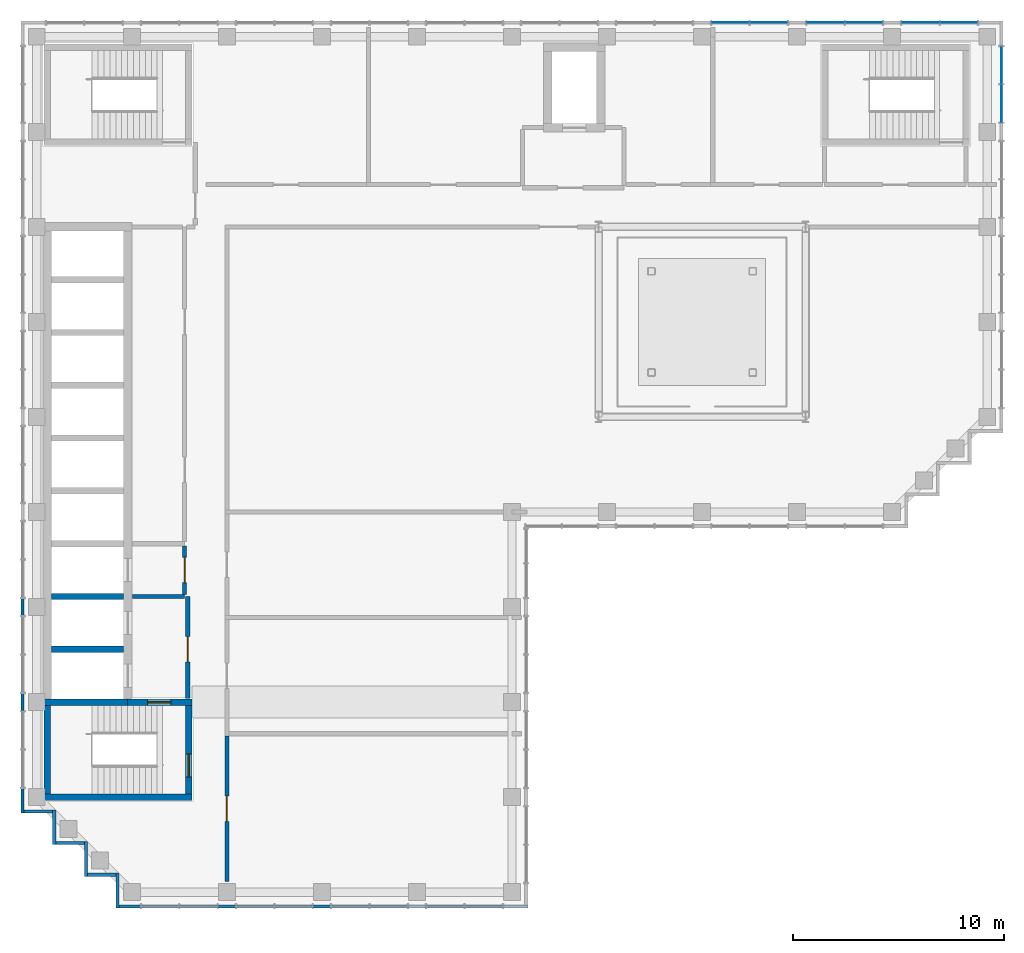
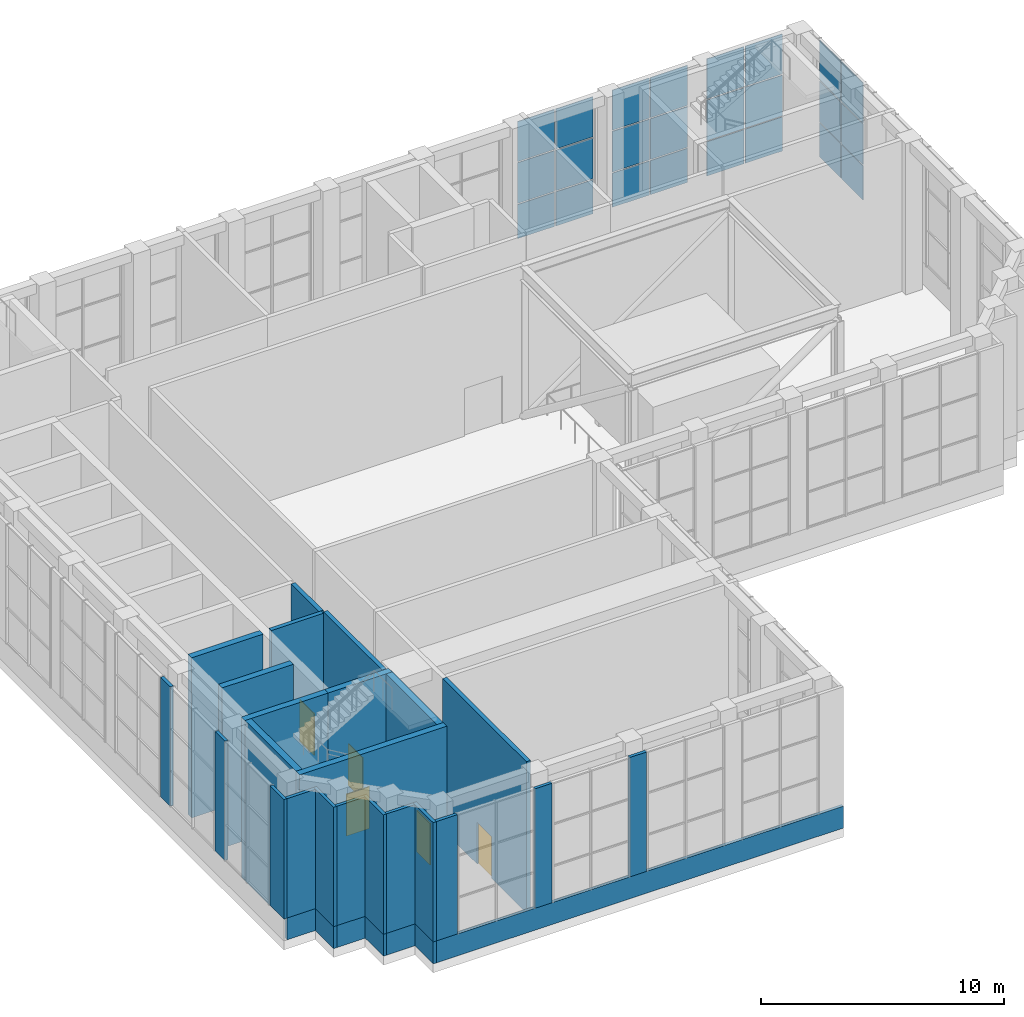
# One storey, part 12 of 17: 30 walls, 24 plates, 5 doors, 5 openings, 4 elements without a shape of their own.
"""IFC4 building model written with IfcOpenShell, lengths in metres."""

from ifc_helpers import new_model, si_unit, direction, frame, frame_2d, origin, origin_2d, place, context, subcontext, project, spatial, rectangle, extrude, material, layer, layer_set, type_object, element, fill, aggregate, save


model = new_model("IFC4")

# Units and contexts
model_context = context("Model", 3, precision=1e-05, world=origin(), true_north=direction((0.0, 1.0)))
body_context = subcontext(model_context, "Body", "Model", "MODEL_VIEW")
ifc_project = project(units=[si_unit("LENGTHUNIT", "METRE"), si_unit("AREAUNIT", "SQUARE_METRE"), si_unit("VOLUMEUNIT", "CUBIC_METRE"), si_unit("PLANEANGLEUNIT", "RADIAN"), si_unit("MASSUNIT", "GRAM", prefix="KILO")], contexts=[model_context])

# Site, building, storey
site_placement = place(None, origin())
site = spatial("IfcSite", under=ifc_project, at=site_placement, CompositionType="ELEMENT")
building_placement = place(site_placement, origin())
building = spatial("IfcBuilding", under=site, at=building_placement, Name="Firuza Court", CompositionType="ELEMENT")
storey_placement = place(building_placement, frame((0.0, 0.0, 258.199951171875)))
storey = spatial("IfcBuildingStorey", under=building, at=storey_placement, Name="L67", CompositionType="ELEMENT", Elevation=258.199951171875)

# Curtain wall, plates
ifc_material_1 = material(Name="Aluminium curtain wall, triple clear glazing", Category="aluminium")
curtain_wall_type = type_object("IfcCurtainWallType", Name="Damper hall structural glazing CW4", PredefinedType="NOTDEFINED", material=ifc_material_1)
curtain_wall_1_placement = place(storey_placement, origin())
curtain_wall_1 = element("IfcCurtainWall", 1, at=curtain_wall_1_placement, inside=storey, type_object=curtain_wall_type, Name="Damper hall structural glazing CW4 L67", PredefinedType="NOTDEFINED")
ifc_material_2 = material(Name="Triple clear glazing", Category="glass")
ifc_layer_1 = layer(ifc_material_2, 0.031982421875)
ifc_layer_set_1 = layer_set([ifc_layer_1], Name="Triple clear glazing")
plate_type = type_object("IfcPlateType", Name="Glazed panel 32 CW4", PredefinedType="CURTAIN_PANEL", material=ifc_layer_set_1)
plate_1_placement = place(storey_placement, frame((45.669921875, 55.340087890625, 1.16015625), z_axis=(0.0, 0.0, 1.0), x_axis=(0.0, 1.0, 0.0)))
plate_1 = element("IfcPlate", 2, at=plate_1_placement, type_object=plate_type, Name="CW4 panel 1.1", PredefinedType="CURTAIN_PANEL", context=body_context, shape_type="SweptSolid", body=[
    extrude(rectangle(XDim=1.760009765625, YDim=0.031982421875, at=origin_2d()), origin(), (0.0, 0.0, 1.0), 1.7099609375),
])
plate_2_placement = place(storey_placement, frame((45.669921875, 55.340087890625, 2.929931640625), z_axis=(0.0, 0.0, 1.0), x_axis=(0.0, 1.0, 0.0)))
plate_2 = element("IfcPlate", 3, at=plate_2_placement, type_object=plate_type, Name="CW4 panel 1.2", PredefinedType="CURTAIN_PANEL", context=body_context, shape_type="SweptSolid", body=[
    extrude(rectangle(XDim=1.760009765625, YDim=0.031982421875, at=origin_2d()), origin(), (0.0, 0.0, 1.0), 2.0400390625),
])
plate_3_placement = place(storey_placement, frame((45.669921875, 55.340087890625, 5.0302734375), z_axis=(0.0, 0.0, 1.0), x_axis=(0.0, 1.0, 0.0)))
plate_3 = element("IfcPlate", 4, at=plate_3_placement, type_object=plate_type, Name="CW4 panel 1.3", PredefinedType="CURTAIN_PANEL", context=body_context, shape_type="SweptSolid", body=[
    extrude(rectangle(XDim=1.760009765625, YDim=0.031982421875, at=origin_2d()), origin(), (0.0, 0.0, 1.0), 2.010009765625),
])
plate_4_placement = place(storey_placement, frame((45.669921875, 57.159912109375, 1.16015625), z_axis=(0.0, 0.0, 1.0), x_axis=(0.0, 1.0, 0.0)))
plate_4 = element("IfcPlate", 5, at=plate_4_placement, type_object=plate_type, Name="CW4 panel 2.1", PredefinedType="CURTAIN_PANEL", context=body_context, shape_type="SweptSolid", body=[
    extrude(rectangle(XDim=1.760009765625, YDim=0.031982421875, at=origin_2d()), origin(), (0.0, 0.0, 1.0), 1.7099609375),
])
plate_5_placement = place(storey_placement, frame((45.669921875, 57.159912109375, 2.929931640625), z_axis=(0.0, 0.0, 1.0), x_axis=(0.0, 1.0, 0.0)))
plate_5 = element("IfcPlate", 6, at=plate_5_placement, type_object=plate_type, Name="CW4 panel 2.2", PredefinedType="CURTAIN_PANEL", context=body_context, shape_type="SweptSolid", body=[
    extrude(rectangle(XDim=1.760009765625, YDim=0.031982421875, at=origin_2d()), origin(), (0.0, 0.0, 1.0), 2.0400390625),
])
plate_6_placement = place(storey_placement, frame((45.669921875, 57.159912109375, 5.0302734375), z_axis=(0.0, 0.0, 1.0), x_axis=(0.0, 1.0, 0.0)))
plate_6 = element("IfcPlate", 7, at=plate_6_placement, type_object=plate_type, Name="CW4 panel 2.3", PredefinedType="CURTAIN_PANEL", context=body_context, shape_type="SweptSolid", body=[
    extrude(rectangle(XDim=1.760009765625, YDim=0.031982421875, at=origin_2d()), origin(), (0.0, 0.0, 1.0), 2.010009765625),
])
aggregate(curtain_wall_1, [plate_1, plate_2, plate_3, plate_4, plate_5, plate_6])

curtain_wall_2_placement = place(storey_placement, origin())
curtain_wall_2 = element("IfcCurtainWall", 8, at=curtain_wall_2_placement, inside=storey, type_object=curtain_wall_type, Name="Damper hall structural glazing CW4 L67", PredefinedType="NOTDEFINED")
plate_7_placement = place(storey_placement, frame((43.659912109375, 59.169921875, 1.16015625), z_axis=(0.0, 0.0, 1.0), x_axis=(-1.0, 0.0, 0.0)))
plate_7 = element("IfcPlate", 9, at=plate_7_placement, type_object=plate_type, Name="CW4 panel 1.1", PredefinedType="CURTAIN_PANEL", context=body_context, shape_type="SweptSolid", body=[
    extrude(rectangle(XDim=1.760009765625, YDim=0.031982421875, at=origin_2d()), origin(), (0.0, 0.0, 1.0), 1.7099609375),
])
plate_8_placement = place(storey_placement, frame((43.659912109375, 59.169921875, 2.929931640625), z_axis=(0.0, 0.0, 1.0), x_axis=(-1.0, 0.0, 0.0)))
plate_8 = element("IfcPlate", 10, at=plate_8_placement, type_object=plate_type, Name="CW4 panel 1.2", PredefinedType="CURTAIN_PANEL", context=body_context, shape_type="SweptSolid", body=[
    extrude(rectangle(XDim=1.760009765625, YDim=0.031982421875, at=origin_2d()), origin(), (0.0, 0.0, 1.0), 2.0400390625),
])
plate_9_placement = place(storey_placement, frame((43.659912109375, 59.169921875, 5.0302734375), z_axis=(0.0, 0.0, 1.0), x_axis=(-1.0, 0.0, 0.0)))
plate_9 = element("IfcPlate", 11, at=plate_9_placement, type_object=plate_type, Name="CW4 panel 1.3", PredefinedType="CURTAIN_PANEL", context=body_context, shape_type="SweptSolid", body=[
    extrude(rectangle(XDim=1.760009765625, YDim=0.031982421875, at=origin_2d()), origin(), (0.0, 0.0, 1.0), 2.010009765625),
])
plate_10_placement = place(storey_placement, frame((41.840087890625, 59.169921875, 1.16015625), z_axis=(0.0, 0.0, 1.0), x_axis=(-1.0, 0.0, 0.0)))
plate_10 = element("IfcPlate", 12, at=plate_10_placement, type_object=plate_type, Name="CW4 panel 2.1", PredefinedType="CURTAIN_PANEL", context=body_context, shape_type="SweptSolid", body=[
    extrude(rectangle(XDim=1.760009765625, YDim=0.031982421875, at=origin_2d()), origin(), (0.0, 0.0, 1.0), 1.7099609375),
])
plate_11_placement = place(storey_placement, frame((41.840087890625, 59.169921875, 2.929931640625), z_axis=(0.0, 0.0, 1.0), x_axis=(-1.0, 0.0, 0.0)))
plate_11 = element("IfcPlate", 13, at=plate_11_placement, type_object=plate_type, Name="CW4 panel 2.2", PredefinedType="CURTAIN_PANEL", context=body_context, shape_type="SweptSolid", body=[
    extrude(rectangle(XDim=1.760009765625, YDim=0.031982421875, at=origin_2d()), origin(), (0.0, 0.0, 1.0), 2.0400390625),
])
plate_12_placement = place(storey_placement, frame((41.840087890625, 59.169921875, 5.0302734375), z_axis=(0.0, 0.0, 1.0), x_axis=(-1.0, 0.0, 0.0)))
plate_12 = element("IfcPlate", 14, at=plate_12_placement, type_object=plate_type, Name="CW4 panel 2.3", PredefinedType="CURTAIN_PANEL", context=body_context, shape_type="SweptSolid", body=[
    extrude(rectangle(XDim=1.760009765625, YDim=0.031982421875, at=origin_2d()), origin(), (0.0, 0.0, 1.0), 2.010009765625),
])
aggregate(curtain_wall_2, [plate_7, plate_8, plate_9, plate_10, plate_11, plate_12])

curtain_wall_3_placement = place(storey_placement, origin())
curtain_wall_3 = element("IfcCurtainWall", 15, at=curtain_wall_3_placement, inside=storey, type_object=curtain_wall_type, Name="Damper hall structural glazing CW4 L67", PredefinedType="NOTDEFINED")
plate_13_placement = place(storey_placement, frame((39.159912109375, 59.169921875, 1.16015625), z_axis=(0.0, 0.0, 1.0), x_axis=(-1.0, 0.0, 0.0)))
plate_13 = element("IfcPlate", 16, at=plate_13_placement, type_object=plate_type, Name="CW4 panel 1.1", PredefinedType="CURTAIN_PANEL", context=body_context, shape_type="SweptSolid", body=[
    extrude(rectangle(XDim=1.760009765625, YDim=0.031982421875, at=origin_2d()), origin(), (0.0, 0.0, 1.0), 1.7099609375),
])
plate_14_placement = place(storey_placement, frame((39.159912109375, 59.169921875, 2.929931640625), z_axis=(0.0, 0.0, 1.0), x_axis=(-1.0, 0.0, 0.0)))
plate_14 = element("IfcPlate", 17, at=plate_14_placement, type_object=plate_type, Name="CW4 panel 1.2", PredefinedType="CURTAIN_PANEL", context=body_context, shape_type="SweptSolid", body=[
    extrude(rectangle(XDim=1.760009765625, YDim=0.031982421875, at=origin_2d()), origin(), (0.0, 0.0, 1.0), 2.0400390625),
])
plate_15_placement = place(storey_placement, frame((39.159912109375, 59.169921875, 5.0302734375), z_axis=(0.0, 0.0, 1.0), x_axis=(-1.0, 0.0, 0.0)))
plate_15 = element("IfcPlate", 18, at=plate_15_placement, type_object=plate_type, Name="CW4 panel 1.3", PredefinedType="CURTAIN_PANEL", context=body_context, shape_type="SweptSolid", body=[
    extrude(rectangle(XDim=1.760009765625, YDim=0.031982421875, at=origin_2d()), origin(), (0.0, 0.0, 1.0), 2.010009765625),
])
plate_16_placement = place(storey_placement, frame((37.340087890625, 59.169921875, 1.16015625), z_axis=(0.0, 0.0, 1.0), x_axis=(-1.0, 0.0, 0.0)))
plate_16 = element("IfcPlate", 19, at=plate_16_placement, type_object=plate_type, Name="CW4 panel 2.1", PredefinedType="CURTAIN_PANEL", context=body_context, shape_type="SweptSolid", body=[
    extrude(rectangle(XDim=1.760009765625, YDim=0.031982421875, at=origin_2d()), origin(), (0.0, 0.0, 1.0), 1.7099609375),
])
plate_17_placement = place(storey_placement, frame((37.340087890625, 59.169921875, 2.929931640625), z_axis=(0.0, 0.0, 1.0), x_axis=(-1.0, 0.0, 0.0)))
plate_17 = element("IfcPlate", 20, at=plate_17_placement, type_object=plate_type, Name="CW4 panel 2.2", PredefinedType="CURTAIN_PANEL", context=body_context, shape_type="SweptSolid", body=[
    extrude(rectangle(XDim=1.760009765625, YDim=0.031982421875, at=origin_2d()), origin(), (0.0, 0.0, 1.0), 2.0400390625),
])
plate_18_placement = place(storey_placement, frame((37.340087890625, 59.169921875, 5.0302734375), z_axis=(0.0, 0.0, 1.0), x_axis=(-1.0, 0.0, 0.0)))
plate_18 = element("IfcPlate", 21, at=plate_18_placement, type_object=plate_type, Name="CW4 panel 2.3", PredefinedType="CURTAIN_PANEL", context=body_context, shape_type="SweptSolid", body=[
    extrude(rectangle(XDim=1.760009765625, YDim=0.031982421875, at=origin_2d()), origin(), (0.0, 0.0, 1.0), 2.010009765625),
])
aggregate(curtain_wall_3, [plate_13, plate_14, plate_15, plate_16, plate_17, plate_18])

curtain_wall_4_placement = place(storey_placement, origin())
curtain_wall_4 = element("IfcCurtainWall", 22, at=curtain_wall_4_placement, inside=storey, type_object=curtain_wall_type, Name="Damper hall structural glazing CW4 L67", PredefinedType="NOTDEFINED")
plate_19_placement = place(storey_placement, frame((34.659912109375, 59.169921875, 1.16015625), z_axis=(0.0, 0.0, 1.0), x_axis=(-1.0, 0.0, 0.0)))
plate_19 = element("IfcPlate", 23, at=plate_19_placement, type_object=plate_type, Name="CW4 panel 1.1", PredefinedType="CURTAIN_PANEL", context=body_context, shape_type="SweptSolid", body=[
    extrude(rectangle(XDim=1.760009765625, YDim=0.031982421875, at=origin_2d()), origin(), (0.0, 0.0, 1.0), 1.7099609375),
])
plate_20_placement = place(storey_placement, frame((34.659912109375, 59.169921875, 2.929931640625), z_axis=(0.0, 0.0, 1.0), x_axis=(-1.0, 0.0, 0.0)))
plate_20 = element("IfcPlate", 24, at=plate_20_placement, type_object=plate_type, Name="CW4 panel 1.2", PredefinedType="CURTAIN_PANEL", context=body_context, shape_type="SweptSolid", body=[
    extrude(rectangle(XDim=1.760009765625, YDim=0.031982421875, at=origin_2d()), origin(), (0.0, 0.0, 1.0), 2.0400390625),
])
plate_21_placement = place(storey_placement, frame((34.659912109375, 59.169921875, 5.0302734375), z_axis=(0.0, 0.0, 1.0), x_axis=(-1.0, 0.0, 0.0)))
plate_21 = element("IfcPlate", 25, at=plate_21_placement, type_object=plate_type, Name="CW4 panel 1.3", PredefinedType="CURTAIN_PANEL", context=body_context, shape_type="SweptSolid", body=[
    extrude(rectangle(XDim=1.760009765625, YDim=0.031982421875, at=origin_2d()), origin(), (0.0, 0.0, 1.0), 2.010009765625),
])
plate_22_placement = place(storey_placement, frame((32.840087890625, 59.169921875, 1.16015625), z_axis=(0.0, 0.0, 1.0), x_axis=(-1.0, 0.0, 0.0)))
plate_22 = element("IfcPlate", 26, at=plate_22_placement, type_object=plate_type, Name="CW4 panel 2.1", PredefinedType="CURTAIN_PANEL", context=body_context, shape_type="SweptSolid", body=[
    extrude(rectangle(XDim=1.760009765625, YDim=0.031982421875, at=origin_2d()), origin(), (0.0, 0.0, 1.0), 1.7099609375),
])
plate_23_placement = place(storey_placement, frame((32.840087890625, 59.169921875, 2.929931640625), z_axis=(0.0, 0.0, 1.0), x_axis=(-1.0, 0.0, 0.0)))
plate_23 = element("IfcPlate", 27, at=plate_23_placement, type_object=plate_type, Name="CW4 panel 2.2", PredefinedType="CURTAIN_PANEL", context=body_context, shape_type="SweptSolid", body=[
    extrude(rectangle(XDim=1.760009765625, YDim=0.031982421875, at=origin_2d()), origin(), (0.0, 0.0, 1.0), 2.0400390625),
])
plate_24_placement = place(storey_placement, frame((32.840087890625, 59.169921875, 5.0302734375), z_axis=(0.0, 0.0, 1.0), x_axis=(-1.0, 0.0, 0.0)))
plate_24 = element("IfcPlate", 28, at=plate_24_placement, type_object=plate_type, Name="CW4 panel 2.3", PredefinedType="CURTAIN_PANEL", context=body_context, shape_type="SweptSolid", body=[
    extrude(rectangle(XDim=1.760009765625, YDim=0.031982421875, at=origin_2d()), origin(), (0.0, 0.0, 1.0), 2.010009765625),
])
aggregate(curtain_wall_4, [plate_19, plate_20, plate_21, plate_22, plate_23, plate_24])

# Walls
ifc_material_3 = material(Name="Concrete C50/60", Category="concrete")
ifc_layer_2 = layer(ifc_material_3, 0.300048828125)
ifc_layer_set_2 = layer_set([ifc_layer_2], Name="Concrete C50/60")
wall_type_1 = type_object("IfcWallType", Name="Core wall 300 C50/60", PredefinedType="SHEAR", material=ifc_layer_set_2)
wall_1_placement = place(storey_placement, frame((0.35009765625, 22.5, -0.449951171875), z_axis=(0.0, 0.0, 1.0), x_axis=(1.0, 0.0, 0.0)))
element("IfcWall", 29, at=wall_1_placement, inside=storey, type_object=wall_type_1, Name="Core wall stair L67", PredefinedType="SHEAR", context=body_context, shape_type="SweptSolid", body=[
    extrude(rectangle(XDim=7.0, YDim=0.300048828125, at=frame_2d((3.5, 0.0))), origin(), (0.0, 0.0, 1.0), 8.050048828125),
])
wall_2_placement = place(storey_placement, frame((0.35009765625, 27.0, -0.449951171875), z_axis=(0.0, 0.0, 1.0), x_axis=(1.0, 0.0, 0.0)))
element("IfcWall", 30, at=wall_2_placement, inside=storey, type_object=wall_type_1, Name="Core wall lift shaft L67", PredefinedType="SHEAR", context=body_context, shape_type="SweptSolid", body=[
    extrude(rectangle(XDim=3.949951171875, YDim=0.300048828125, at=frame_2d((1.97509765625, 0.0))), origin(), (0.0, 0.0, 1.0), 8.050048828125),
])
wall_3_placement = place(storey_placement, frame((0.5, 22.64990234375, -0.449951171875), z_axis=(0.0, 0.0, 1.0), x_axis=(0.0, 1.0, 0.0)))
element("IfcWall", 31, at=wall_3_placement, inside=storey, type_object=wall_type_1, Name="Core wall stair L67", PredefinedType="SHEAR", context=body_context, shape_type="SweptSolid", body=[
    extrude(rectangle(XDim=4.2001953125, YDim=0.300048828125, at=frame_2d((2.10009765625, 0.0))), origin(), (0.0, 0.0, 1.0), 8.050048828125),
])
for number, where, z_axis, x_axis, name in (
    (32, (0.699951171875, 29.5, -0.449951171875), (0.0, 0.0, 1.0), (1.0, 0.0, 0.0), "Core wall lift shaft L67"),
    (33, (0.699951171875, 32.0, -0.449951171875), (0.0, 0.0, 1.0), (1.0, 0.0, 0.0), "Core wall lift shaft L67"),
):
    element("IfcWall", number, at=place(storey_placement, frame(where, z_axis=z_axis, x_axis=x_axis)), inside=storey, type_object=wall_type_1, Name=name, PredefinedType="SHEAR", context=body_context, shape_type="SweptSolid", body=[
        extrude(rectangle(XDim=3.400146484375, YDim=0.300048828125, at=frame_2d((1.7001953125, 0.0))), origin(), (0.0, 0.0, 1.0), 8.050048828125),
    ])

# Wall, opening, door
wall_4_placement = place(storey_placement, frame((4.300048828125, 27.0, -0.449951171875), z_axis=(0.0, 0.0, 1.0), x_axis=(1.0, 0.0, 0.0)))
wall_4 = element("IfcWall", 34, at=wall_4_placement, inside=storey, type_object=wall_type_1, Name="Core wall stair L67", PredefinedType="SHEAR", context=body_context, shape_type="SweptSolid", body=[
    extrude(rectangle(XDim=3.050048828125, YDim=0.300048828125, at=frame_2d((1.52490234375, 0.0))), origin(), (0.0, 0.0, 1.0), 8.050048828125),
])
opening_1_placement = place(wall_4_placement, frame((0.949951171875, 0.0, 0.449951171875)))
opening_1 = element("IfcOpeningElement", 35, at=opening_1_placement, cuts=wall_4, Name="Opening D67009", PredefinedType="OPENING", context=body_context, shape_type="SweptSolid", body=[
    extrude(rectangle(XDim=1.10009765625, YDim=2.10009765625, at=frame_2d((0.550048828125, 1.050048828125))), frame((0.0, 0.162109375, 0.0), z_axis=(0.0, -1.0, 0.0), x_axis=(1.0, 0.0, 0.0)), (0.0, 0.0, 1.0), 0.323974609375),
])
ifc_material_4 = material(Name="Timber door leaf in hardwood frame", Category="wood")
door_type_1 = type_object("IfcDoorType", Name="Stair door 1100", OperationType="SINGLE_SWING_LEFT", PredefinedType="DOOR", material=ifc_material_4)
door_1_placement = place(opening_1_placement, frame((1.10009765625, 0.0, 0.0), z_axis=(0.0, 0.0, 1.0), x_axis=(-1.0, 0.0, 0.0)))
door_1 = element("IfcDoor", 36, at=door_1_placement, inside=storey, type_object=door_type_1, Name="Fire-fighting lobby door", OperationType="SINGLE_SWING_LEFT", OverallHeight=2.10009765625, OverallWidth=1.10009765625, PredefinedType="DOOR", context=body_context, shape_type="SweptSolid", body=[
    extrude(rectangle(XDim=1.10009765625, YDim=2.10009765625, at=frame_2d((0.550048828125, 1.050048828125))), frame((0.0, 0.02490234375, 0.0), z_axis=(0.0, -1.0, 0.0), x_axis=(1.0, 0.0, 0.0)), (0.0, 0.0, 1.0), 0.050048828125),
])
fill(opening_1, door_1)

wall_5_placement = place(storey_placement, frame((7.199951171875, 22.64990234375, -0.449951171875), z_axis=(0.0, 0.0, 1.0), x_axis=(0.0, 1.0, 0.0)))
wall_5 = element("IfcWall", 37, at=wall_5_placement, inside=storey, type_object=wall_type_1, Name="Core wall stair L67", PredefinedType="SHEAR", context=body_context, shape_type="SweptSolid", body=[
    extrude(rectangle(XDim=4.2001953125, YDim=0.300048828125, at=frame_2d((2.10009765625, 0.0))), origin(), (0.0, 0.0, 1.0), 8.050048828125),
])
opening_2_placement = place(wall_5_placement, frame((0.800048828125, 0.0, 0.449951171875)))
opening_2 = element("IfcOpeningElement", 38, at=opening_2_placement, cuts=wall_5, Name="Opening D67010", PredefinedType="OPENING", context=body_context, shape_type="SweptSolid", body=[
    extrude(rectangle(XDim=1.10009765625, YDim=2.10009765625, at=frame_2d((0.550048828125, 1.050048828125))), frame((0.0, 0.162109375, 0.0), z_axis=(0.0, -1.0, 0.0), x_axis=(1.0, 0.0, 0.0)), (0.0, 0.0, 1.0), 0.323974609375),
])
door_2_placement = place(opening_2_placement, origin())
door_2 = element("IfcDoor", 39, at=door_2_placement, inside=storey, type_object=door_type_1, Name="Stair door S2", OperationType="SINGLE_SWING_LEFT", OverallHeight=2.10009765625, OverallWidth=1.10009765625, PredefinedType="DOOR", context=body_context, shape_type="SweptSolid", body=[
    extrude(rectangle(XDim=1.10009765625, YDim=2.10009765625, at=frame_2d((0.550048828125, 1.050048828125))), frame((0.0, 0.02490234375, 0.0), z_axis=(0.0, -1.0, 0.0), x_axis=(1.0, 0.0, 0.0)), (0.0, 0.0, 1.0), 0.050048828125),
])
fill(opening_2, door_2)

ifc_material_5 = material(Name="Blockwork, fire-rated", Category="masonry")
ifc_layer_3 = layer(ifc_material_5, 0.199951171875)
ifc_layer_set_3 = layer_set([ifc_layer_3], Name="Blockwork, fire-rated")
wall_type_2 = type_object("IfcWallType", Name="Plant room wall 200", PredefinedType="PARTITIONING", material=ifc_layer_set_3)
wall_6_placement = place(storey_placement, frame((9.0, 18.5, 0.0), z_axis=(0.0, 0.0, 1.0), x_axis=(0.0, 1.0, 0.0)))
wall_6 = element("IfcWall", 40, at=wall_6_placement, inside=storey, type_object=wall_type_2, Name="Plant room wall 200 L67", PredefinedType="PARTITIONING", context=body_context, shape_type="SweptSolid", body=[
    extrude(rectangle(XDim=6.89990234375, YDim=0.199951171875, at=frame_2d((3.449951171875, 0.0))), origin(), (0.0, 0.0, 1.0), 7.60009765625),
])
opening_3_placement = place(wall_6_placement, frame((2.85009765625, 0.0, 0.0)))
opening_3 = element("IfcOpeningElement", 41, at=opening_3_placement, cuts=wall_6, Name="Opening D67012", PredefinedType="OPENING", context=body_context, shape_type="SweptSolid", body=[
    extrude(rectangle(XDim=1.199951171875, YDim=2.10009765625, at=frame_2d((0.60009765625, 1.050048828125))), frame((0.0, 0.11181640625, 0.0), z_axis=(0.0, -1.0, 0.0), x_axis=(1.0, 0.0, 0.0)), (0.0, 0.0, 1.0), 0.223876953125),
])
ifc_material_6 = material(Name="Timber door leaf in hardwood frame", Category="wood")
door_type_2 = type_object("IfcDoorType", Name="Plant room door 1200", OperationType="SINGLE_SWING_LEFT", PredefinedType="DOOR", material=ifc_material_6)
door_3_placement = place(opening_3_placement, frame((1.199951171875, 0.0, 0.0), z_axis=(0.0, 0.0, 1.0), x_axis=(-1.0, 0.0, 0.0)))
door_3 = element("IfcDoor", 42, at=door_3_placement, inside=storey, type_object=door_type_2, Name="Plant door", OperationType="SINGLE_SWING_LEFT", OverallHeight=2.10009765625, OverallWidth=1.199951171875, PredefinedType="DOOR", context=body_context, shape_type="SweptSolid", body=[
    extrude(rectangle(XDim=1.199951171875, YDim=2.10009765625, at=frame_2d((0.60009765625, 1.050048828125))), frame((0.0, 0.02490234375, 0.0), z_axis=(0.0, -1.0, 0.0), x_axis=(1.0, 0.0, 0.0)), (0.0, 0.0, 1.0), 0.050048828125),
])
fill(opening_3, door_3)

# Walls
ifc_material_7 = material(Name="Ceramic tile", Category="ceramic")
ifc_layer_4 = layer(ifc_material_7, 0.02001953125)
ifc_material_8 = material(Name="Mineral wool insulation", Category="insulation")
ifc_layer_5 = layer(ifc_material_8, 0.050048828125)
ifc_material_9 = material(Name="Concrete C40/50 precast", Category="concrete")
ifc_layer_6 = layer(ifc_material_9, 0.080078125)
ifc_layer_set_4 = layer_set([ifc_layer_4, ifc_layer_5, ifc_layer_6], Name="Concrete C40/50 precast")
wall_type_3 = type_object("IfcWallType", Name="Precast cladding wall with turquoise TILE PANEL face 150", PredefinedType="STANDARD", material=ifc_layer_set_4)
wall_7_placement = place(storey_placement, frame((-0.60009765625, 21.824951171875, 0.0), z_axis=(0.0, 0.0, 1.0), x_axis=(1.0, 0.0, 0.0)))
element("IfcWall", 43, at=wall_7_placement, inside=storey, type_object=wall_type_3, Name="Facade kerb wall L67 S", PredefinedType="STANDARD", context=body_context, shape_type="SweptSolid", body=[
    extrude(rectangle(XDim=1.35009765625, YDim=0.14990234375, at=frame_2d((0.675048828125, 0.0))), origin(), (0.0, 0.0, 1.0), 1.10009765625),
])
wall_8_placement = place(storey_placement, frame((0.824951171875, 21.89990234375, 0.0), z_axis=(0.0, 0.0, 1.0), x_axis=(0.0, -1.0, 0.0)))
element("IfcWall", 44, at=wall_8_placement, inside=storey, type_object=wall_type_3, Name="Facade kerb wall L67 W", PredefinedType="STANDARD", context=body_context, shape_type="SweptSolid", body=[
    extrude(rectangle(XDim=1.64990234375, YDim=0.14990234375, at=frame_2d((0.824951171875, 0.0))), origin(), (0.0, 0.0, 1.0), 1.10009765625),
])
wall_9_placement = place(storey_placement, frame((0.89990234375, 20.324951171875, 0.0), z_axis=(0.0, 0.0, 1.0), x_axis=(1.0, 0.0, 0.0)))
element("IfcWall", 45, at=wall_9_placement, inside=storey, type_object=wall_type_3, Name="Facade kerb wall L67 S", PredefinedType="STANDARD", context=body_context, shape_type="SweptSolid", body=[
    extrude(rectangle(XDim=1.35009765625, YDim=0.14990234375, at=frame_2d((0.675048828125, 0.0))), origin(), (0.0, 0.0, 1.0), 1.10009765625),
])
wall_10_placement = place(storey_placement, frame((2.324951171875, 20.39990234375, 0.0), z_axis=(0.0, 0.0, 1.0), x_axis=(0.0, -1.0, 0.0)))
element("IfcWall", 46, at=wall_10_placement, inside=storey, type_object=wall_type_3, Name="Facade kerb wall L67 W", PredefinedType="STANDARD", context=body_context, shape_type="SweptSolid", body=[
    extrude(rectangle(XDim=1.64990234375, YDim=0.14990234375, at=frame_2d((0.824951171875, 0.0))), origin(), (0.0, 0.0, 1.0), 1.10009765625),
])
wall_11_placement = place(storey_placement, frame((2.39990234375, 18.824951171875, 0.0), z_axis=(0.0, 0.0, 1.0), x_axis=(1.0, 0.0, 0.0)))
element("IfcWall", 47, at=wall_11_placement, inside=storey, type_object=wall_type_3, Name="Facade kerb wall L67 S", PredefinedType="STANDARD", context=body_context, shape_type="SweptSolid", body=[
    extrude(rectangle(XDim=1.35009765625, YDim=0.14990234375, at=frame_2d((0.675048828125, 0.0))), origin(), (0.0, 0.0, 1.0), 1.10009765625),
])
wall_12_placement = place(storey_placement, frame((3.824951171875, 18.89990234375, 0.0), z_axis=(0.0, 0.0, 1.0), x_axis=(0.0, -1.0, 0.0)))
element("IfcWall", 48, at=wall_12_placement, inside=storey, type_object=wall_type_3, Name="Facade kerb wall L67 W", PredefinedType="STANDARD", context=body_context, shape_type="SweptSolid", body=[
    extrude(rectangle(XDim=1.64990234375, YDim=0.14990234375, at=frame_2d((0.824951171875, 0.0))), origin(), (0.0, 0.0, 1.0), 1.10009765625),
])
wall_13_placement = place(storey_placement, frame((3.89990234375, 17.324951171875, 0.0), z_axis=(0.0, 0.0, 1.0), x_axis=(1.0, 0.0, 0.0)))
element("IfcWall", 49, at=wall_13_placement, inside=storey, type_object=wall_type_3, Name="Facade kerb wall L67 S", PredefinedType="STANDARD", context=body_context, shape_type="SweptSolid", body=[
    extrude(rectangle(XDim=19.35009765625, YDim=0.14990234375, at=frame_2d((9.675048828125, 0.0))), origin(), (0.0, 0.0, 1.0), 1.10009765625),
])
wall_14_placement = place(storey_placement, frame((-0.60009765625, 21.824951171875, 1.10009765625), z_axis=(0.0, 0.0, 1.0), x_axis=(1.0, 0.0, 0.0)))
element("IfcWall", 50, at=wall_14_placement, inside=storey, type_object=wall_type_3, Name="Facade wall L67 S", PredefinedType="STANDARD", context=body_context, shape_type="SweptSolid", body=[
    extrude(rectangle(XDim=1.35009765625, YDim=0.14990234375, at=frame_2d((0.675048828125, 0.0))), origin(), (0.0, 0.0, 1.0), 6.0),
])
wall_15_placement = place(storey_placement, frame((0.824951171875, 21.89990234375, 1.10009765625), z_axis=(0.0, 0.0, 1.0), x_axis=(0.0, -1.0, 0.0)))
element("IfcWall", 51, at=wall_15_placement, inside=storey, type_object=wall_type_3, Name="Facade wall L67 W", PredefinedType="STANDARD", context=body_context, shape_type="SweptSolid", body=[
    extrude(rectangle(XDim=1.64990234375, YDim=0.14990234375, at=frame_2d((0.824951171875, 0.0))), origin(), (0.0, 0.0, 1.0), 6.0),
])
wall_16_placement = place(storey_placement, frame((0.89990234375, 20.324951171875, 1.10009765625), z_axis=(0.0, 0.0, 1.0), x_axis=(1.0, 0.0, 0.0)))
element("IfcWall", 52, at=wall_16_placement, inside=storey, type_object=wall_type_3, Name="Facade wall L67 S", PredefinedType="STANDARD", context=body_context, shape_type="SweptSolid", body=[
    extrude(rectangle(XDim=1.35009765625, YDim=0.14990234375, at=frame_2d((0.675048828125, 0.0))), origin(), (0.0, 0.0, 1.0), 6.0),
])
wall_17_placement = place(storey_placement, frame((2.324951171875, 20.39990234375, 1.10009765625), z_axis=(0.0, 0.0, 1.0), x_axis=(0.0, -1.0, 0.0)))
element("IfcWall", 53, at=wall_17_placement, inside=storey, type_object=wall_type_3, Name="Facade wall L67 W", PredefinedType="STANDARD", context=body_context, shape_type="SweptSolid", body=[
    extrude(rectangle(XDim=1.64990234375, YDim=0.14990234375, at=frame_2d((0.824951171875, 0.0))), origin(), (0.0, 0.0, 1.0), 6.0),
])
wall_18_placement = place(storey_placement, frame((2.39990234375, 18.824951171875, 1.10009765625), z_axis=(0.0, 0.0, 1.0), x_axis=(1.0, 0.0, 0.0)))
element("IfcWall", 54, at=wall_18_placement, inside=storey, type_object=wall_type_3, Name="Facade wall L67 S", PredefinedType="STANDARD", context=body_context, shape_type="SweptSolid", body=[
    extrude(rectangle(XDim=1.35009765625, YDim=0.14990234375, at=frame_2d((0.675048828125, 0.0))), origin(), (0.0, 0.0, 1.0), 6.0),
])
wall_19_placement = place(storey_placement, frame((3.824951171875, 18.89990234375, 1.10009765625), z_axis=(0.0, 0.0, 1.0), x_axis=(0.0, -1.0, 0.0)))
element("IfcWall", 55, at=wall_19_placement, inside=storey, type_object=wall_type_3, Name="Facade wall L67 W", PredefinedType="STANDARD", context=body_context, shape_type="SweptSolid", body=[
    extrude(rectangle(XDim=1.64990234375, YDim=0.14990234375, at=frame_2d((0.824951171875, 0.0))), origin(), (0.0, 0.0, 1.0), 6.0),
])
wall_20_placement = place(storey_placement, frame((3.89990234375, 17.324951171875, 1.10009765625), z_axis=(0.0, 0.0, 1.0), x_axis=(1.0, 0.0, 0.0)))
element("IfcWall", 56, at=wall_20_placement, inside=storey, type_object=wall_type_3, Name="Facade wall L67 S", PredefinedType="STANDARD", context=body_context, shape_type="SweptSolid", body=[
    extrude(rectangle(XDim=1.0, YDim=0.14990234375, at=frame_2d((0.5, 0.0))), origin(), (0.0, 0.0, 1.0), 6.0),
])
for number, where, z_axis, x_axis, name in (
    (57, (8.60009765625, 17.324951171875, 1.10009765625), (0.0, 0.0, 1.0), (1.0, 0.0, 0.0), "Facade wall L67 S"),
    (58, (13.10009765625, 17.324951171875, 1.10009765625), (0.0, 0.0, 1.0), (1.0, 0.0, 0.0), "Facade wall L67 S"),
    (59, (-0.675048828125, 31.89990234375, 1.10009765625), (0.0, 0.0, 1.0), (0.0, -1.0, 0.0), "Facade wall L67 W"),
    (60, (-0.675048828125, 27.39990234375, 1.10009765625), (0.0, 0.0, 1.0), (0.0, -1.0, 0.0), "Facade wall L67 W"),
):
    element("IfcWall", number, at=place(storey_placement, frame(where, z_axis=z_axis, x_axis=x_axis)), inside=storey, type_object=wall_type_3, Name=name, PredefinedType="STANDARD", context=body_context, shape_type="SweptSolid", body=[
        extrude(rectangle(XDim=0.7998046875, YDim=0.14990234375, at=frame_2d((0.39990234375, 0.0))), origin(), (0.0, 0.0, 1.0), 6.0),
    ])
wall_21_placement = place(storey_placement, frame((-0.675048828125, 22.89990234375, 1.10009765625), z_axis=(0.0, 0.0, 1.0), x_axis=(0.0, -1.0, 0.0)))
element("IfcWall", 61, at=wall_21_placement, inside=storey, type_object=wall_type_3, Name="Facade wall L67 W", PredefinedType="STANDARD", context=body_context, shape_type="SweptSolid", body=[
    extrude(rectangle(XDim=1.14990234375, YDim=0.14990234375, at=frame_2d((0.574951171875, 0.0))), origin(), (0.0, 0.0, 1.0), 6.0),
])
ifc_layer_7 = layer(ifc_material_5, 0.199951171875)
ifc_layer_set_5 = layer_set([ifc_layer_7], Name="Blockwork, fire-rated")
wall_type_4 = type_object("IfcWallType", Name="Shaft wall 200", PredefinedType="PARTITIONING", material=ifc_layer_set_5)
wall_22_placement = place(storey_placement, frame((4.52001953125, 32.0, 0.0), z_axis=(0.0, 0.0, 1.0), x_axis=(1.0, 0.0, 0.0)))
element("IfcWall", 62, at=wall_22_placement, inside=storey, type_object=wall_type_4, Name="Shaft wall 200 L67", PredefinedType="PARTITIONING", context=body_context, shape_type="SweptSolid", body=[
    extrude(rectangle(XDim=2.47998046875, YDim=0.199951171875, at=frame_2d((1.239990234375, 0.0))), origin(), (0.0, 0.0, 1.0), 7.60009765625),
])

# Wall, opening, door
wall_23_placement = place(storey_placement, frame((7.0, 32.10009765625, 0.0), z_axis=(0.0, 0.0, 1.0), x_axis=(0.0, 1.0, 0.0)))
wall_23 = element("IfcWall", 63, at=wall_23_placement, inside=storey, type_object=wall_type_4, Name="Shaft wall 200 L67", PredefinedType="PARTITIONING", context=body_context, shape_type="SweptSolid", body=[
    extrude(rectangle(XDim=2.2998046875, YDim=0.199951171875, at=frame_2d((1.14990234375, 0.0))), origin(), (0.0, 0.0, 1.0), 7.60009765625),
])
opening_4_placement = place(wall_23_placement, frame((0.550048828125, 0.0, 0.0)))
opening_4 = element("IfcOpeningElement", 64, at=opening_4_placement, cuts=wall_23, Name="Opening D67007", PredefinedType="OPENING", context=body_context, shape_type="SweptSolid", body=[
    extrude(rectangle(XDim=1.199951171875, YDim=2.10009765625, at=frame_2d((0.60009765625, 1.050048828125))), frame((0.0, 0.11181640625, 0.0), z_axis=(0.0, -1.0, 0.0), x_axis=(1.0, 0.0, 0.0)), (0.0, 0.0, 1.0), 0.223876953125),
])
ifc_material_10 = material(Name="Timber door leaf in hardwood frame", Category="wood")
door_type_3 = type_object("IfcDoorType", Name="Lobby door 1200", OperationType="SINGLE_SWING_LEFT", PredefinedType="DOOR", material=ifc_material_10)
door_4_placement = place(opening_4_placement, origin())
door_4 = element("IfcDoor", 65, at=door_4_placement, inside=storey, type_object=door_type_3, Name="Lobby door", OperationType="SINGLE_SWING_LEFT", OverallHeight=2.10009765625, OverallWidth=1.199951171875, PredefinedType="DOOR", context=body_context, shape_type="SweptSolid", body=[
    extrude(rectangle(XDim=1.199951171875, YDim=2.10009765625, at=frame_2d((0.60009765625, 1.050048828125))), frame((0.0, 0.02490234375, 0.0), z_axis=(0.0, -1.0, 0.0), x_axis=(1.0, 0.0, 0.0)), (0.0, 0.0, 1.0), 0.050048828125),
])
fill(opening_4, door_4)

wall_24_placement = place(storey_placement, frame((7.14990234375, 27.169921875, 0.0), z_axis=(0.0, 0.0, 1.0), x_axis=(0.0, 1.0, 0.0)))
wall_24 = element("IfcWall", 66, at=wall_24_placement, inside=storey, type_object=wall_type_4, Name="Shaft wall 200 L67", PredefinedType="PARTITIONING", context=body_context, shape_type="SweptSolid", body=[
    extrude(rectangle(XDim=4.830078125, YDim=0.199951171875, at=frame_2d((2.4150390625, 0.0))), origin(), (0.0, 0.0, 1.0), 7.60009765625),
])
opening_5_placement = place(wall_24_placement, frame((1.72998046875, 0.0, 0.0)))
opening_5 = element("IfcOpeningElement", 67, at=opening_5_placement, cuts=wall_24, Name="Opening D67002", PredefinedType="OPENING", context=body_context, shape_type="SweptSolid", body=[
    extrude(rectangle(XDim=1.199951171875, YDim=2.10009765625, at=frame_2d((0.60009765625, 1.050048828125))), frame((0.0, 0.11181640625, 0.0), z_axis=(0.0, -1.0, 0.0), x_axis=(1.0, 0.0, 0.0)), (0.0, 0.0, 1.0), 0.223876953125),
])
door_5_placement = place(opening_5_placement, origin())
door_5 = element("IfcDoor", 68, at=door_5_placement, inside=storey, type_object=door_type_3, Name="Fire-fighting lobby door", OperationType="SINGLE_SWING_LEFT", OverallHeight=2.10009765625, OverallWidth=1.199951171875, PredefinedType="DOOR", context=body_context, shape_type="SweptSolid", body=[
    extrude(rectangle(XDim=1.199951171875, YDim=2.10009765625, at=frame_2d((0.60009765625, 1.050048828125))), frame((0.0, 0.02490234375, 0.0), z_axis=(0.0, -1.0, 0.0), x_axis=(1.0, 0.0, 0.0)), (0.0, 0.0, 1.0), 0.050048828125),
])
fill(opening_5, door_5)

save(model, "model.ifc")
